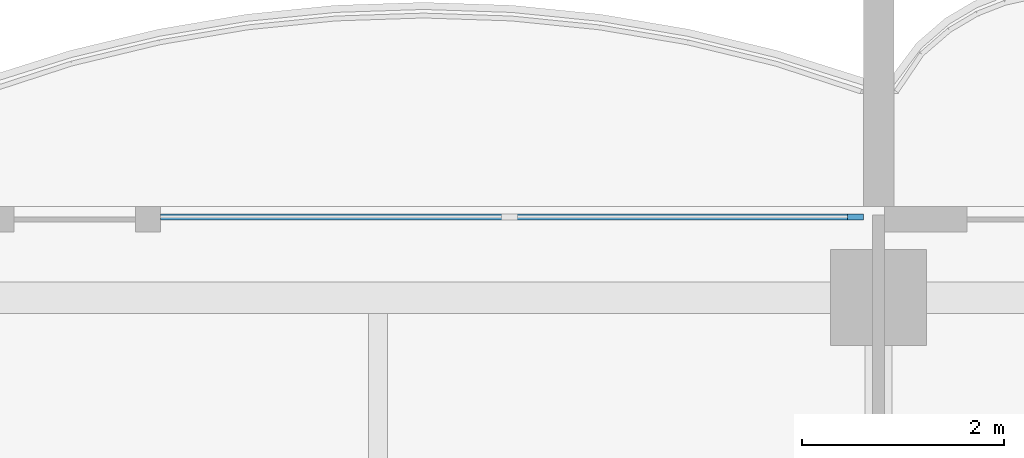
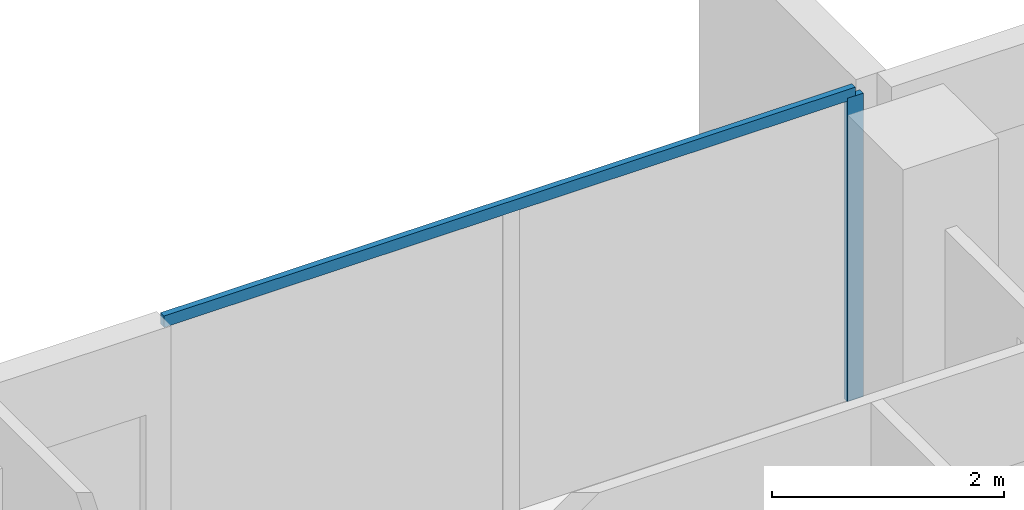
# One storey, part 6 of 17: 2 members, 1 element without a shape of its own.
"""IFC4 building model written with IfcOpenShell, lengths in metres."""

from ifc_helpers import new_model, si_unit, direction, frame, origin, origin_2d, place, context, subcontext, project, spatial, rectangle, extrude, material, material_profile, profile_set, type_object, element, aggregate, save


model = new_model("IFC4")

# Units and contexts
model_context = context("Model", 3, precision=1e-05, world=origin(), true_north=direction((0.0, 1.0)))
body_context = subcontext(model_context, "Body", "Model", "MODEL_VIEW")
ifc_project = project(units=[si_unit("LENGTHUNIT", "METRE"), si_unit("AREAUNIT", "SQUARE_METRE"), si_unit("VOLUMEUNIT", "CUBIC_METRE"), si_unit("PLANEANGLEUNIT", "RADIAN"), si_unit("MASSUNIT", "GRAM", prefix="KILO")], contexts=[model_context])

# Site, building, storey
site_placement = place(None, origin())
site = spatial("IfcSite", under=ifc_project, at=site_placement, CompositionType="ELEMENT")
building_placement = place(site_placement, origin())
building = spatial("IfcBuilding", under=site, at=building_placement, Name="Perihelion Cross Residences", CompositionType="ELEMENT")
storey_placement = place(building_placement, frame((0.0, 0.0, 205.10009765625)))
storey = spatial("IfcBuildingStorey", under=building, at=storey_placement, Name="L51", CompositionType="ELEMENT", Elevation=205.10009765625)

# Curtain wall, members
ifc_material_1 = material(Name="Bronze anodised aluminium, tinted glazing", Category="aluminium")
curtain_wall_type = type_object("IfcCurtainWallType", Name="CW1", PredefinedType="NOTDEFINED", material=ifc_material_1)
curtain_wall_placement = place(storey_placement, origin())
curtain_wall = element("IfcCurtainWall", 1, at=curtain_wall_placement, inside=storey, type_object=curtain_wall_type, Name="Curtain wall CW1 L51 east side north bay 2", PredefinedType="NOTDEFINED")
ifc_material_2 = material(Name="Bronze anodised aluminium", Category="aluminium")
ifc_material_profile_1 = material_profile(ifc_material_2, rectangle(XDim=0.06005859375, YDim=0.159912109375, at=origin_2d()), Name="CW1 mullion")
ifc_profile_set_1 = profile_set([ifc_material_profile_1], Name="Bronze anodised aluminium")
member_type_1 = type_object("IfcMemberType", Name="CW1 mullion", PredefinedType="MULLION", material=ifc_profile_set_1)
member_1_placement = place(storey_placement, frame((17.77001953125, 8.89990234375, 0.0), z_axis=(0.0, 0.0, 1.0), x_axis=(0.0, -1.0, 0.0)))
member_1 = element("IfcMember", 2, at=member_1_placement, type_object=member_type_1, Name="CW1 mullion 1", PredefinedType="MULLION", context=body_context, shape_type="SweptSolid", body=[
    extrude(rectangle(XDim=0.06005859375, YDim=0.159912109375, at=origin_2d()), origin(), (0.0, 0.0, 1.0), 3.18994140625),
])
ifc_material_3 = material(Name="Bronze anodised aluminium", Category="aluminium")
ifc_material_profile_2 = material_profile(ifc_material_3, rectangle(XDim=0.06005859375, YDim=0.1201171875, at=origin_2d()), Name="CW1 transom")
ifc_profile_set_2 = profile_set([ifc_material_profile_2], Name="Bronze anodised aluminium")
member_type_2 = type_object("IfcMemberType", Name="CW1 transom", PredefinedType="USERDEFINED", material=ifc_profile_set_2)
member_2_placement = place(storey_placement, frame((17.77001953125, 8.89990234375, 3.219970703125), z_axis=(-1.0, 0.0, 0.0), x_axis=(0.0, -1.0, 0.0)))
member_2 = element("IfcMember", 3, at=member_2_placement, type_object=member_type_2, Name="CW1 head transom", ObjectType="TRANSOM", PredefinedType="USERDEFINED", context=body_context, shape_type="SweptSolid", body=[
    extrude(rectangle(XDim=0.06005859375, YDim=0.1201171875, at=origin_2d()), origin(), (0.0, 0.0, 1.0), 6.8701171875),
])
aggregate(curtain_wall, [member_1, member_2])

save(model, "model.ifc")
